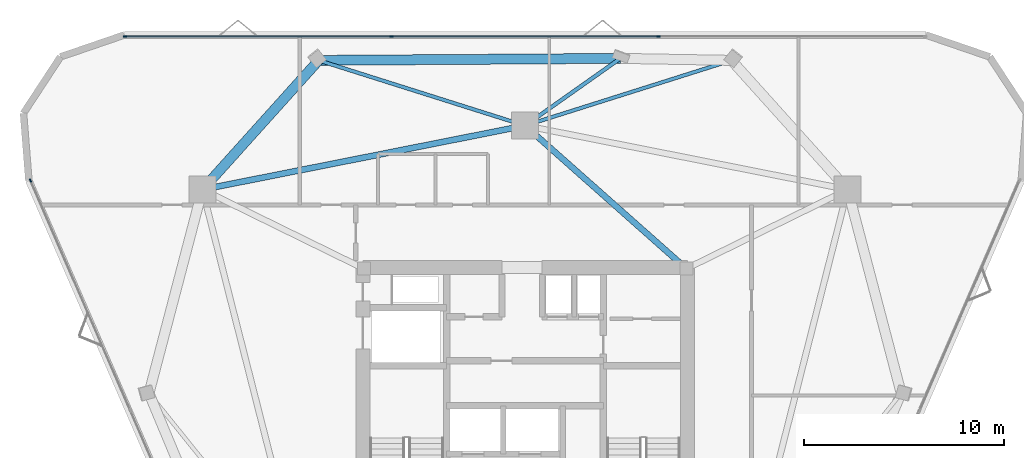
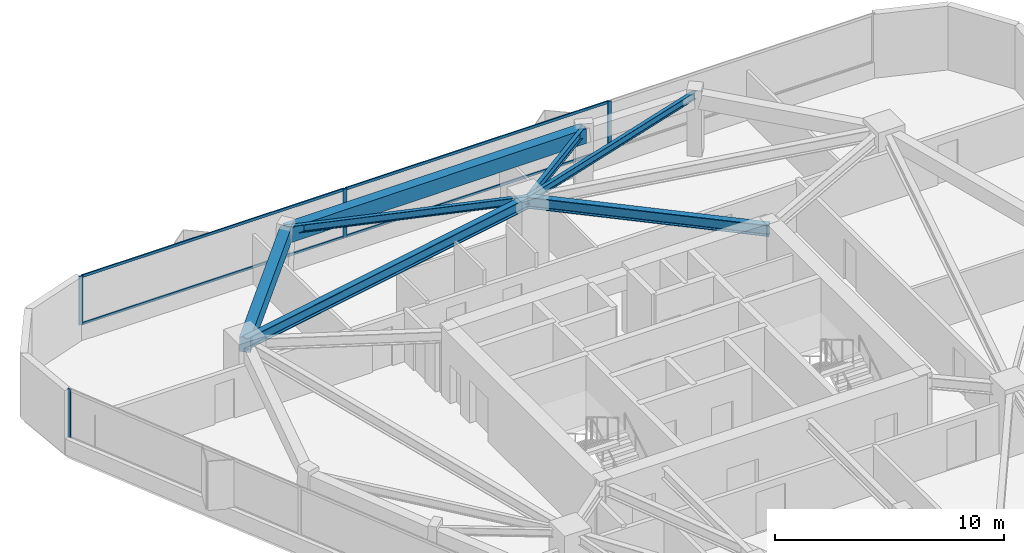
# One storey, part 7 of 12: 8 members, 7 beams, 2 elements without a shape of their own.
"""IFC4 building model written with IfcOpenShell, lengths in metres."""

from ifc_helpers import new_model, si_unit, direction, frame, origin, origin_2d, place, context, subcontext, project, spatial, rectangle, i_section, extrude, material, layer, layer_set, material_profile, profile_set, type_object, element, aggregate, save


model = new_model("IFC4")

# Units and contexts
model_context = context("Model", 3, precision=1e-05, world=origin(), true_north=direction((0.0, 1.0)))
body_context = subcontext(model_context, "Body", "Model", "MODEL_VIEW")
ifc_project = project(units=[si_unit("LENGTHUNIT", "METRE"), si_unit("AREAUNIT", "SQUARE_METRE"), si_unit("VOLUMEUNIT", "CUBIC_METRE"), si_unit("PLANEANGLEUNIT", "RADIAN"), si_unit("MASSUNIT", "GRAM", prefix="KILO")], contexts=[model_context])

# Site, building, storey
site_placement = place(None, origin())
site = spatial("IfcSite", under=ifc_project, at=site_placement, CompositionType="ELEMENT")
building_placement = place(site_placement, origin())
building = spatial("IfcBuilding", under=site, at=building_placement, Name="Talyreon Biosciences Tower", CompositionType="ELEMENT")
storey_placement = place(building_placement, frame((0.0, 0.0, 215.89990234375)))
storey = spatial("IfcBuildingStorey", under=building, at=storey_placement, Name="L57", CompositionType="ELEMENT", Elevation=215.89990234375)

# Curtain wall, member
ifc_material_1 = material(Name="Thermally broken aluminium and low-E glazing", Category="aluminium")
ifc_layer = layer(ifc_material_1, 0.179931640625)
ifc_layer_set = layer_set([ifc_layer], Name="Thermally broken aluminium and low-E glazing")
curtain_wall_type = type_object("IfcCurtainWallType", Name="CurtainWall_Zone4Optical", PredefinedType="NOTDEFINED", material=ifc_layer_set)
curtain_wall_1_placement = place(storey_placement, origin())
curtain_wall_1 = element("IfcCurtainWall", 1, at=curtain_wall_1_placement, inside=storey, type_object=curtain_wall_type, Name="L57 Unitised Curtain Wall FCW-L57-00", PredefinedType="NOTDEFINED")
ifc_material_2 = material(Name="Anodised thermally broken aluminium", Category="aluminium")
ifc_material_profile_1 = material_profile(ifc_material_2, rectangle(XDim=0.06494140625, YDim=0.179931640625, at=origin_2d()), Name="ALUM MULLION 65x180")
ifc_profile_set_1 = profile_set([ifc_material_profile_1], Name="Anodised thermally broken aluminium")
member_type_1 = type_object("IfcMemberType", Name="CWMullion_65x180", PredefinedType="MULLION", material=ifc_profile_set_1)
member_1_placement = place(storey_placement, frame((41.316650390625, 79.048828125, 0.81005859375), z_axis=(0.0, 0.0, 1.0), x_axis=(-0.917221993355, -0.398376473835, 0.0)))
member_1 = element("IfcMember", 2, at=member_1_placement, type_object=member_type_1, Name="CW5 mullion 5", PredefinedType="MULLION", context=body_context, shape_type="SweptSolid", body=[
    extrude(rectangle(XDim=0.06494140625, YDim=0.179931640625, at=origin_2d()), origin(), (0.0, 0.0, 1.0), 2.590087890625),
])
aggregate(curtain_wall_1, [member_1])

# Curtain wall, members
curtain_wall_2_placement = place(storey_placement, origin())
curtain_wall_2 = element("IfcCurtainWall", 3, at=curtain_wall_2_placement, inside=storey, type_object=curtain_wall_type, Name="L57 Unitised Curtain Wall FCW-L57-04", PredefinedType="NOTDEFINED")
member_2_placement = place(storey_placement, frame((46.032470703125, 86.23828125, 0.81005859375), z_axis=(0.0, 0.0, 1.0), x_axis=(0.0, 1.0, 0.0)))
member_2 = element("IfcMember", 4, at=member_2_placement, type_object=member_type_1, Name="CW5 mullion 1", PredefinedType="MULLION", context=body_context, shape_type="SweptSolid", body=[
    extrude(rectangle(XDim=0.06494140625, YDim=0.179931640625, at=origin_2d()), origin(), (0.0, 0.0, 1.0), 2.590087890625),
])
member_3_placement = place(storey_placement, frame((59.333251953125, 86.23828125, 0.81005859375), z_axis=(0.0, 0.0, 1.0), x_axis=(0.0, 1.0, 0.0)))
member_3 = element("IfcMember", 5, at=member_3_placement, type_object=member_type_1, Name="CW5 mullion 2", PredefinedType="MULLION", context=body_context, shape_type="SweptSolid", body=[
    extrude(rectangle(XDim=0.06494140625, YDim=0.179931640625, at=origin_2d()), origin(), (0.0, 0.0, 1.0), 2.590087890625),
])
member_4_placement = place(storey_placement, frame((72.666748046875, 86.23828125, 0.81005859375), z_axis=(0.0, 0.0, 1.0), x_axis=(0.0, 1.0, 0.0)))
member_4 = element("IfcMember", 6, at=member_4_placement, type_object=member_type_1, Name="CW5 mullion 3", PredefinedType="MULLION", context=body_context, shape_type="SweptSolid", body=[
    extrude(rectangle(XDim=0.06494140625, YDim=0.179931640625, at=origin_2d()), origin(), (0.0, 0.0, 1.0), 2.590087890625),
])
ifc_material_profile_2 = material_profile(ifc_material_2, rectangle(XDim=0.06494140625, YDim=0.139892578125, at=origin_2d()), Name="ALUM TRANSOM 65x140")
ifc_profile_set_2 = profile_set([ifc_material_profile_2], Name="Anodised thermally broken aluminium")
member_type_2 = type_object("IfcMemberType", Name="CWTransom_65x140", PredefinedType="USERDEFINED", material=ifc_profile_set_2)
member_5_placement = place(storey_placement, frame((46.06494140625, 86.23828125, 0.842529296875), z_axis=(1.0, 0.0, 0.0), x_axis=(0.0, 1.0, 0.0)))
member_5 = element("IfcMember", 7, at=member_5_placement, type_object=member_type_2, Name="CW5 transom 1.1", ObjectType="TRANSOM", PredefinedType="USERDEFINED", context=body_context, shape_type="SweptSolid", body=[
    extrude(rectangle(XDim=0.06494140625, YDim=0.139892578125, at=origin_2d()), origin(), (0.0, 0.0, 1.0), 13.23583984375),
])
member_6_placement = place(storey_placement, frame((46.06494140625, 86.23828125, 3.36767578125), z_axis=(1.0, 0.0, 0.0), x_axis=(0.0, 1.0, 0.0)))
member_6 = element("IfcMember", 8, at=member_6_placement, type_object=member_type_2, Name="CW5 transom 1.2", ObjectType="TRANSOM", PredefinedType="USERDEFINED", context=body_context, shape_type="SweptSolid", body=[
    extrude(rectangle(XDim=0.06494140625, YDim=0.139892578125, at=origin_2d()), origin(), (0.0, 0.0, 1.0), 13.23583984375),
])
member_7_placement = place(storey_placement, frame((59.36572265625, 86.23828125, 0.842529296875), z_axis=(1.0, 0.0, 0.0), x_axis=(0.0, 1.0, 0.0)))
member_7 = element("IfcMember", 9, at=member_7_placement, type_object=member_type_2, Name="CW5 transom 2.1", ObjectType="TRANSOM", PredefinedType="USERDEFINED", context=body_context, shape_type="SweptSolid", body=[
    extrude(rectangle(XDim=0.06494140625, YDim=0.139892578125, at=origin_2d()), origin(), (0.0, 0.0, 1.0), 13.2685546875),
])
member_8_placement = place(storey_placement, frame((59.36572265625, 86.23828125, 3.36767578125), z_axis=(1.0, 0.0, 0.0), x_axis=(0.0, 1.0, 0.0)))
member_8 = element("IfcMember", 10, at=member_8_placement, type_object=member_type_2, Name="CW5 transom 2.2", ObjectType="TRANSOM", PredefinedType="USERDEFINED", context=body_context, shape_type="SweptSolid", body=[
    extrude(rectangle(XDim=0.06494140625, YDim=0.139892578125, at=origin_2d()), origin(), (0.0, 0.0, 1.0), 13.2685546875),
])
aggregate(curtain_wall_2, [member_2, member_3, member_4, member_5, member_6, member_7, member_8])

# Beams
ifc_material_3 = material(Name="Precast concrete C45/55", Category="concrete")
ifc_material_profile_3 = material_profile(ifc_material_3, rectangle(XDim=0.5, YDim=0.780029296875, at=origin_2d()), Name="RCB 500x780")
ifc_profile_set_3 = profile_set([ifc_material_profile_3], Name="Precast concrete C45/55")
beam_type_1 = type_object("IfcBeamType", Name="ExpressedSpandrel_500x780", PredefinedType="SPANDREL", material=ifc_profile_set_3)
beam_1_placement = place(storey_placement, frame((70.7548828125, 85.14599609375, 3.010009765625), z_axis=(-0.999978010662, -0.006631605506, 0.0), x_axis=(0.006631605506, -0.999978010662, 0.0)))
element("IfcBeam", 11, at=beam_1_placement, inside=storey, type_object=beam_type_1, Name="L57 Expressed Horizontal Concrete Spandrel 07", PredefinedType="SPANDREL", context=body_context, shape_type="SweptSolid", body=[
    extrude(rectangle(XDim=0.5, YDim=0.780029296875, at=origin_2d()), origin(), (0.0, 0.0, 1.0), 15.05712890625),
])
beam_2_placement = place(storey_placement, frame((55.697998046875, 85.046142578125, 3.010009765625), z_axis=(-0.668807631892, -0.743435505961, 0.0), x_axis=(0.743435505961, -0.668807631892, 0.0)))
element("IfcBeam", 12, at=beam_2_placement, inside=storey, type_object=beam_type_1, Name="L57 Expressed Horizontal Concrete Spandrel 08", PredefinedType="SPANDREL", context=body_context, shape_type="SweptSolid", body=[
    extrude(rectangle(XDim=0.5, YDim=0.780029296875, at=origin_2d()), origin(), (0.0, 0.0, 1.0), 8.672607421875),
])
ifc_material_4 = material(Name="Steel SM355", Category="steel")
ifc_material_profile_4 = material_profile(ifc_material_4, i_section(OverallWidth=0.300048828125, OverallDepth=0.60009765625, WebThickness=0.015380859375, FlangeThickness=0.030029296875, FilletRadius=0.027099609375, at=origin_2d()), Name="HE600B")
ifc_profile_set_4 = profile_set([ifc_material_profile_4], Name="Steel SM355")
beam_type_2 = type_object("IfcBeamType", Name="SteelBeam_HE600B", PredefinedType="BEAM", material=ifc_profile_set_4)
beam_3_placement = place(storey_placement, frame((66.0, 81.788818359375, 3.10009765625), z_axis=(-0.980933730698, -0.194342522311, 0.0), x_axis=(0.194342522311, -0.980933730698, 0.0)))
element("IfcBeam", 13, at=beam_3_placement, inside=storey, type_object=beam_type_2, Name="L57 Mega-Ring Girder 4", PredefinedType="BEAM", context=body_context, shape_type="SweptSolid", body=[
    extrude(i_section(OverallWidth=0.300048828125, OverallDepth=0.60009765625, WebThickness=0.015380859375, FlangeThickness=0.030029296875, FilletRadius=0.027099609375, at=origin_2d()), origin(), (0.0, 0.0, 1.0), 16.415283203125),
])
beam_4_placement = place(storey_placement, frame((74.050048828125, 74.64990234375, 3.10009765625), z_axis=(-0.748178733955, 0.663497235908, 0.0), x_axis=(-0.663497235908, -0.748178733955, 0.0)))
element("IfcBeam", 14, at=beam_4_placement, inside=storey, type_object=beam_type_2, Name="L57 Radial Primary Girder 4", PredefinedType="BEAM", context=body_context, shape_type="SweptSolid", body=[
    extrude(i_section(OverallWidth=0.300048828125, OverallDepth=0.60009765625, WebThickness=0.015380859375, FlangeThickness=0.030029296875, FilletRadius=0.027099609375, at=origin_2d()), origin(), (0.0, 0.0, 1.0), 10.759521484375),
])
ifc_material_profile_5 = material_profile(ifc_material_4, i_section(OverallWidth=0.179931640625, OverallDepth=0.39990234375, WebThickness=0.008544921875, FlangeThickness=0.013427734375, FilletRadius=0.02099609375, at=origin_2d()), Name="IPE400")
ifc_profile_set_5 = profile_set([ifc_material_profile_5], Name="Steel SM355")
beam_type_3 = type_object("IfcBeamType", Name="SteelJoist_IPE400", PredefinedType="JOIST", material=ifc_profile_set_5)
for number, where, z_axis, x_axis, name in (
    (15, (66.0, 81.788818359375, 3.2001953125), (0.953474690493, 0.301473074402, 0.0), (-0.301473074402, 0.953474690493, 0.0), "L57 Radial Composite Floor Joist PC-N1"),
    (16, (66.0, 81.788818359375, 3.2001953125), (-0.953474690493, 0.301473074402, 0.0), (-0.301473074402, -0.953474690493, 0.0), "L57 Radial Composite Floor Joist PC-N2"),
):
    element("IfcBeam", number, at=place(storey_placement, frame(where, z_axis=z_axis, x_axis=x_axis)), inside=storey, type_object=beam_type_3, Name=name, PredefinedType="JOIST", context=body_context, shape_type="SweptSolid", body=[
        extrude(i_section(OverallWidth=0.179931640625, OverallDepth=0.39990234375, WebThickness=0.008544921875, FlangeThickness=0.013427734375, FilletRadius=0.02099609375, at=origin_2d()), origin(), (0.0, 0.0, 1.0), 10.8046875),
    ])
ifc_material_profile_6 = material_profile(ifc_material_4, i_section(OverallWidth=0.18994140625, OverallDepth=0.449951171875, WebThickness=0.009521484375, FlangeThickness=0.0146484375, FilletRadius=0.02099609375, at=origin_2d()), Name="IPE450")
ifc_profile_set_6 = profile_set([ifc_material_profile_6], Name="Steel SM355")
beam_type_4 = type_object("IfcBeamType", Name="SteelJoist_IPE450", PredefinedType="JOIST", material=ifc_profile_set_6)
beam_5_placement = place(storey_placement, frame((66.0, 81.788818359375, 3.175048828125), z_axis=(0.816903924924, 0.576773766258, 0.0), x_axis=(-0.576773766258, 0.816903924924, 0.0)))
element("IfcBeam", 17, at=beam_5_placement, inside=storey, type_object=beam_type_4, Name="L57 Radial Composite Floor Joist PL-N", PredefinedType="JOIST", context=body_context, shape_type="SweptSolid", body=[
    extrude(i_section(OverallWidth=0.18994140625, OverallDepth=0.449951171875, WebThickness=0.009521484375, FlangeThickness=0.0146484375, FilletRadius=0.02099609375, at=origin_2d()), origin(), (0.0, 0.0, 1.0), 5.820556640625),
])

save(model, "model.ifc")
